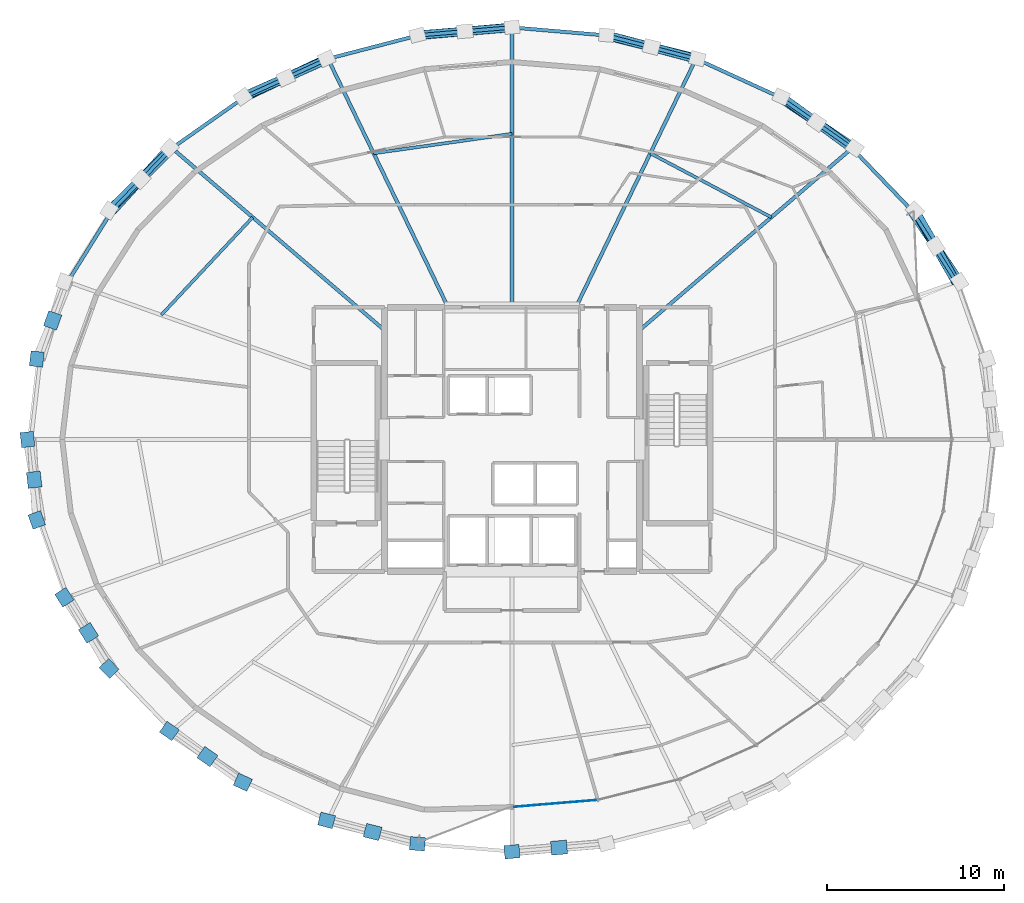
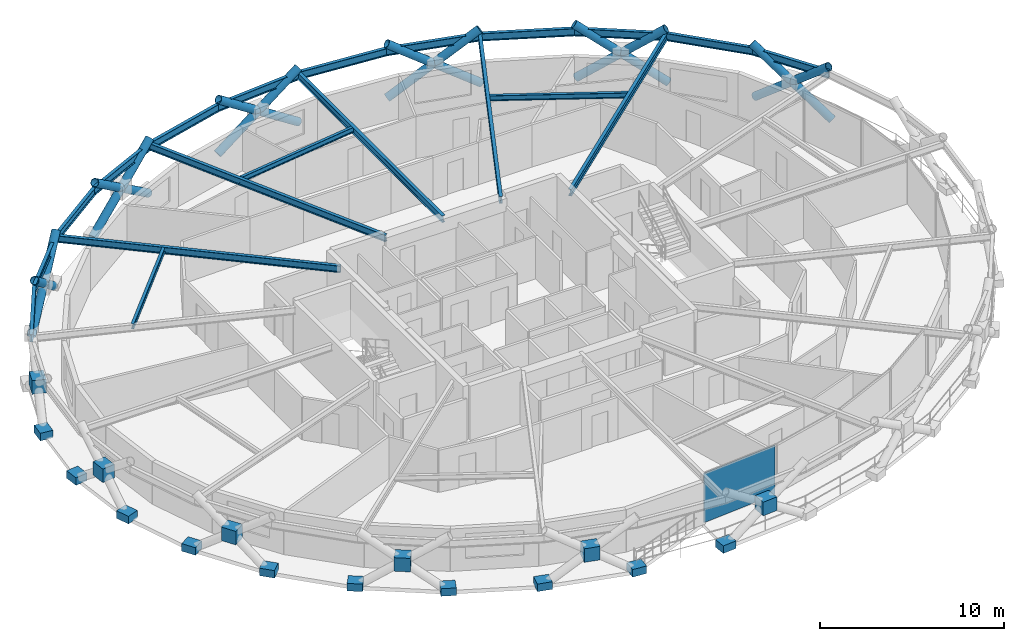
# One storey, part 10 of 16: 20 beams, 18 members, 17 plates, 1 element without a shape of its own.
"""IFC4 building model written with IfcOpenShell, lengths in metres."""

from ifc_helpers import new_model, si_unit, direction, frame, origin, origin_2d, place, context, subcontext, project, spatial, rectangle, hollow_circle, i_section, extrude, material, layer, layer_set, material_profile, profile_set, type_object, element, aggregate, save


model = new_model("IFC4")

# Units and contexts
model_context = context("Model", 3, precision=1e-05, world=origin(), true_north=direction((0.0, 1.0)))
body_context = subcontext(model_context, "Body", "Model", "MODEL_VIEW")
ifc_project = project(units=[si_unit("LENGTHUNIT", "METRE"), si_unit("AREAUNIT", "SQUARE_METRE"), si_unit("VOLUMEUNIT", "CUBIC_METRE"), si_unit("PLANEANGLEUNIT", "RADIAN"), si_unit("MASSUNIT", "GRAM", prefix="KILO")], contexts=[model_context])

# Site, building, storey
site_placement = place(None, origin())
site = spatial("IfcSite", under=ifc_project, at=site_placement, CompositionType="ELEMENT")
building_placement = place(site_placement, origin())
building = spatial("IfcBuilding", under=site, at=building_placement, Name="Veldorina Hangang Commons", CompositionType="ELEMENT")
storey_placement = place(building_placement, frame((0.0, 0.0, 185.60009765625)))
storey = spatial("IfcBuildingStorey", under=building, at=storey_placement, Name="L48", CompositionType="ELEMENT", Elevation=185.60009765625)

# Beams
ifc_material_1 = material(Name="Steel SM355-TMC", Category="steel")
ifc_material_profile_1 = material_profile(ifc_material_1, i_section(OverallWidth=0.199951171875, OverallDepth=0.449951171875, WebThickness=0.009033203125, FlangeThickness=0.013916015625, FilletRadius=0.01611328125, at=origin_2d()), Name="H-450x200x9x14")
ifc_profile_set_1 = profile_set([ifc_material_profile_1], Name="Steel SM355-TMC")
beam_type_1 = type_object("IfcBeamType", Name="BM-FG450", PredefinedType="BEAM", material=ifc_profile_set_1)
beam_1_placement = place(storey_placement, frame((39.199951171875, 30.16943359375, 3.125), z_axis=(0.759361379825, 0.650669113167, 0.0), x_axis=(-0.650669113167, 0.759361379825, 0.0)))
element("IfcBeam", 1, at=beam_1_placement, inside=storey, type_object=beam_type_1, Name="L48 radial floor girder 03", PredefinedType="BEAM", context=body_context, shape_type="SweptSolid", body=[
    extrude(i_section(OverallWidth=0.199951171875, OverallDepth=0.449951171875, WebThickness=0.009033203125, FlangeThickness=0.013916015625, FilletRadius=0.01611328125, at=origin_2d()), origin(), (0.0, 0.0, 1.0), 15.788330078125),
])
beam_2_placement = place(storey_placement, frame((35.601318359375, 31.449951171875, 3.125), z_axis=(0.435219448184, 0.900324403714, 0.0), x_axis=(-0.900324403714, 0.435219448184, 0.0)))
element("IfcBeam", 2, at=beam_2_placement, inside=storey, type_object=beam_type_1, Name="L48 radial floor girder 04", PredefinedType="BEAM", context=body_context, shape_type="SweptSolid", body=[
    extrude(i_section(OverallWidth=0.199951171875, OverallDepth=0.449951171875, WebThickness=0.009033203125, FlangeThickness=0.013916015625, FilletRadius=0.01611328125, at=origin_2d()), origin(), (0.0, 0.0, 1.0), 15.5869140625),
])
beam_3_placement = place(storey_placement, frame((32.0, 31.449951171875, 3.125), z_axis=(0.0, 1.0, 0.0), x_axis=(-1.0, 0.0, 0.0)))
element("IfcBeam", 3, at=beam_3_placement, inside=storey, type_object=beam_type_1, Name="L48 radial floor girder 05", PredefinedType="BEAM", context=body_context, shape_type="SweptSolid", body=[
    extrude(i_section(OverallWidth=0.199951171875, OverallDepth=0.449951171875, WebThickness=0.009033203125, FlangeThickness=0.013916015625, FilletRadius=0.01611328125, at=origin_2d()), origin(), (0.0, 0.0, 1.0), 15.80322265625),
])
beam_4_placement = place(storey_placement, frame((28.398681640625, 31.449951171875, 3.125), z_axis=(-0.435219448184, 0.900324403714, 0.0), x_axis=(-0.900324403714, -0.435219448184, 0.0)))
element("IfcBeam", 4, at=beam_4_placement, inside=storey, type_object=beam_type_1, Name="L48 radial floor girder 06", PredefinedType="BEAM", context=body_context, shape_type="SweptSolid", body=[
    extrude(i_section(OverallWidth=0.199951171875, OverallDepth=0.449951171875, WebThickness=0.009033203125, FlangeThickness=0.013916015625, FilletRadius=0.01611328125, at=origin_2d()), origin(), (0.0, 0.0, 1.0), 15.5869140625),
])
beam_5_placement = place(storey_placement, frame((24.800048828125, 30.16943359375, 3.125), z_axis=(-0.759361379825, 0.650669113167, 0.0), x_axis=(-0.650669113167, -0.759361379825, 0.0)))
element("IfcBeam", 5, at=beam_5_placement, inside=storey, type_object=beam_type_1, Name="L48 radial floor girder 07", PredefinedType="BEAM", context=body_context, shape_type="SweptSolid", body=[
    extrude(i_section(OverallWidth=0.199951171875, OverallDepth=0.449951171875, WebThickness=0.009033203125, FlangeThickness=0.013916015625, FilletRadius=0.01611328125, at=origin_2d()), origin(), (0.0, 0.0, 1.0), 15.788330078125),
])
ifc_material_profile_2 = material_profile(ifc_material_1, i_section(OverallWidth=0.175048828125, OverallDepth=0.35009765625, WebThickness=0.007080078125, FlangeThickness=0.010986328125, FilletRadius=0.012939453125, at=origin_2d()), Name="H-350x175x7x11")
ifc_profile_set_2 = profile_set([ifc_material_profile_2], Name="Steel SM355-TMC")
beam_type_2 = type_object("IfcBeamType", Name="BM-JST350", PredefinedType="JOIST", material=ifc_profile_set_2)
beam_6_placement = place(storey_placement, frame((46.63330078125, 36.538818359375, 3.1748046875), z_axis=(-0.883897084995, 0.467681454772, 0.0), x_axis=(-0.467681454772, -0.883897084995, 0.0)))
element("IfcBeam", 6, at=beam_6_placement, inside=storey, type_object=beam_type_2, Name="L48 secondary floor joist 03", PredefinedType="JOIST", context=body_context, shape_type="SweptSolid", body=[
    extrude(i_section(OverallWidth=0.175048828125, OverallDepth=0.35009765625, WebThickness=0.007080078125, FlangeThickness=0.010986328125, FilletRadius=0.012939453125, at=origin_2d()), origin(), (0.0, 0.0, 1.0), 7.722900390625),
])
beam_7_placement = place(storey_placement, frame((32.0, 41.248046875, 3.1748046875), z_axis=(-0.990264717399, -0.139196944922, 0.0), x_axis=(0.139196944922, -0.990264717399, 0.0)))
element("IfcBeam", 7, at=beam_7_placement, inside=storey, type_object=beam_type_2, Name="L48 secondary floor joist 05", PredefinedType="JOIST", context=body_context, shape_type="SweptSolid", body=[
    extrude(i_section(OverallWidth=0.175048828125, OverallDepth=0.35009765625, WebThickness=0.007080078125, FlangeThickness=0.010986328125, FilletRadius=0.012939453125, at=origin_2d()), origin(), (0.0, 0.0, 1.0), 7.8837890625),
])
beam_8_placement = place(storey_placement, frame((17.36669921875, 36.538818359375, 3.1748046875), z_axis=(-0.683245001655, -0.730189199943, 0.0), x_axis=(0.730189199943, -0.683245001655, 0.0)))
element("IfcBeam", 8, at=beam_8_placement, inside=storey, type_object=beam_type_2, Name="L48 secondary floor joist 07", PredefinedType="JOIST", context=body_context, shape_type="SweptSolid", body=[
    extrude(i_section(OverallWidth=0.175048828125, OverallDepth=0.35009765625, WebThickness=0.007080078125, FlangeThickness=0.010986328125, FilletRadius=0.012939453125, at=origin_2d()), origin(), (0.0, 0.0, 1.0), 7.55126953125),
])
ifc_material_2 = material(Name="Steel SM420-TMC", Category="steel")
ifc_material_profile_3 = material_profile(ifc_material_2, i_section(OverallWidth=0.199951171875, OverallDepth=0.5, WebThickness=0.010009765625, FlangeThickness=0.01611328125, FilletRadius=0.01611328125, at=origin_2d()), Name="H-500x200x10x16")
ifc_profile_set_3 = profile_set([ifc_material_profile_3], Name="Steel SM420-TMC")
beam_type_3 = type_object("IfcBeamType", Name="BM-RB500", PredefinedType="BEAM", material=ifc_profile_set_3)
beam_9_placement = place(storey_placement, frame((57.071533203125, 32.898681640625, 3.099853515625), z_axis=(-0.529285479706, 0.848443799537, 0.0), x_axis=(-0.848443799537, -0.529285479706, 0.0)))
element("IfcBeam", 9, at=beam_9_placement, inside=storey, type_object=beam_type_3, Name="L48 perimeter hoop ring beam 02", PredefinedType="BEAM", context=body_context, shape_type="SweptSolid", body=[
    extrude(i_section(OverallWidth=0.199951171875, OverallDepth=0.5, WebThickness=0.010009765625, FlangeThickness=0.01611328125, FilletRadius=0.01611328125, at=origin_2d()), origin(), (0.0, 0.0, 1.0), 4.738037109375),
])
beam_10_placement = place(storey_placement, frame((54.563720703125, 36.918701171875, 3.099853515625), z_axis=(-0.691680360766, 0.722203765242, 0.0), x_axis=(-0.722203765242, -0.691680360766, 0.0)))
element("IfcBeam", 10, at=beam_10_placement, inside=storey, type_object=beam_type_3, Name="L48 perimeter hoop ring beam 03", PredefinedType="BEAM", context=body_context, shape_type="SweptSolid", body=[
    extrude(i_section(OverallWidth=0.199951171875, OverallDepth=0.5, WebThickness=0.010009765625, FlangeThickness=0.01611328125, FilletRadius=0.01611328125, at=origin_2d()), origin(), (0.0, 0.0, 1.0), 4.879150390625),
])
beam_11_placement = place(storey_placement, frame((51.18896484375, 40.4423828125, 3.099853515625), z_axis=(-0.817993454631, 0.575227527315, 0.0), x_axis=(-0.575227527315, -0.817993454631, 0.0)))
element("IfcBeam", 11, at=beam_11_placement, inside=storey, type_object=beam_type_3, Name="L48 perimeter hoop ring beam 04", PredefinedType="BEAM", context=body_context, shape_type="SweptSolid", body=[
    extrude(i_section(OverallWidth=0.199951171875, OverallDepth=0.5, WebThickness=0.010009765625, FlangeThickness=0.01611328125, FilletRadius=0.01611328125, at=origin_2d()), origin(), (0.0, 0.0, 1.0), 5.02734375),
])
beam_12_placement = place(storey_placement, frame((47.07666015625, 43.334228515625, 3.099853515625), z_axis=(-0.90916857944, 0.416428258117, 0.0), x_axis=(-0.416428258117, -0.90916857944, 0.0)))
element("IfcBeam", 12, at=beam_12_placement, inside=storey, type_object=beam_type_3, Name="L48 perimeter hoop ring beam 05", PredefinedType="BEAM", context=body_context, shape_type="SweptSolid", body=[
    extrude(i_section(OverallWidth=0.199951171875, OverallDepth=0.5, WebThickness=0.010009765625, FlangeThickness=0.01611328125, FilletRadius=0.01611328125, at=origin_2d()), origin(), (0.0, 0.0, 1.0), 5.160400390625),
])
beam_13_placement = place(storey_placement, frame((42.385009765625, 45.483154296875, 3.099853515625), z_axis=(-0.967839686151, 0.251567768029, 0.0), x_axis=(-0.251567768029, -0.967839686151, 0.0)))
element("IfcBeam", 13, at=beam_13_placement, inside=storey, type_object=beam_type_3, Name="L48 perimeter hoop ring beam 06", PredefinedType="BEAM", context=body_context, shape_type="SweptSolid", body=[
    extrude(i_section(OverallWidth=0.199951171875, OverallDepth=0.5, WebThickness=0.010009765625, FlangeThickness=0.01611328125, FilletRadius=0.01611328125, at=origin_2d()), origin(), (0.0, 0.0, 1.0), 5.260009765625),
])
for number, where, z_axis, x_axis, name in (
    (14, (37.294189453125, 46.806396484375, 3.099853515625), (-0.996458060131, 0.084091226656, 0.0), (-0.084091226656, -0.996458060131, 0.0), "L48 perimeter hoop ring beam 07"),
    (15, (32.0, 47.253173828125, 3.099853515625), (-0.996458060131, -0.084091226656, 0.0), (0.084091226656, -0.996458060131, 0.0), "L48 perimeter hoop ring beam 08"),
):
    element("IfcBeam", number, at=place(storey_placement, frame(where, z_axis=z_axis, x_axis=x_axis)), inside=storey, type_object=beam_type_3, Name=name, PredefinedType="BEAM", context=body_context, shape_type="SweptSolid", body=[
        extrude(i_section(OverallWidth=0.199951171875, OverallDepth=0.5, WebThickness=0.010009765625, FlangeThickness=0.01611328125, FilletRadius=0.01611328125, at=origin_2d()), origin(), (0.0, 0.0, 1.0), 5.31298828125),
    ])
beam_14_placement = place(storey_placement, frame((26.705810546875, 46.806396484375, 3.099853515625), z_axis=(-0.967839686151, -0.251567768029, 0.0), x_axis=(0.251567768029, -0.967839686151, 0.0)))
element("IfcBeam", 16, at=beam_14_placement, inside=storey, type_object=beam_type_3, Name="L48 perimeter hoop ring beam 09", PredefinedType="BEAM", context=body_context, shape_type="SweptSolid", body=[
    extrude(i_section(OverallWidth=0.199951171875, OverallDepth=0.5, WebThickness=0.010009765625, FlangeThickness=0.01611328125, FilletRadius=0.01611328125, at=origin_2d()), origin(), (0.0, 0.0, 1.0), 5.260009765625),
])
beam_15_placement = place(storey_placement, frame((21.614990234375, 45.483154296875, 3.099853515625), z_axis=(-0.90916857944, -0.416428258117, 0.0), x_axis=(0.416428258117, -0.90916857944, 0.0)))
element("IfcBeam", 17, at=beam_15_placement, inside=storey, type_object=beam_type_3, Name="L48 perimeter hoop ring beam 10", PredefinedType="BEAM", context=body_context, shape_type="SweptSolid", body=[
    extrude(i_section(OverallWidth=0.199951171875, OverallDepth=0.5, WebThickness=0.010009765625, FlangeThickness=0.01611328125, FilletRadius=0.01611328125, at=origin_2d()), origin(), (0.0, 0.0, 1.0), 5.160400390625),
])
beam_16_placement = place(storey_placement, frame((16.92333984375, 43.334228515625, 3.099853515625), z_axis=(-0.817993454631, -0.575227527315, 0.0), x_axis=(0.575227527315, -0.817993454631, 0.0)))
element("IfcBeam", 18, at=beam_16_placement, inside=storey, type_object=beam_type_3, Name="L48 perimeter hoop ring beam 11", PredefinedType="BEAM", context=body_context, shape_type="SweptSolid", body=[
    extrude(i_section(OverallWidth=0.199951171875, OverallDepth=0.5, WebThickness=0.010009765625, FlangeThickness=0.01611328125, FilletRadius=0.01611328125, at=origin_2d()), origin(), (0.0, 0.0, 1.0), 5.02734375),
])
beam_17_placement = place(storey_placement, frame((12.81103515625, 40.4423828125, 3.099853515625), z_axis=(-0.691680360766, -0.722203765242, 0.0), x_axis=(0.722203765242, -0.691680360766, 0.0)))
element("IfcBeam", 19, at=beam_17_placement, inside=storey, type_object=beam_type_3, Name="L48 perimeter hoop ring beam 12", PredefinedType="BEAM", context=body_context, shape_type="SweptSolid", body=[
    extrude(i_section(OverallWidth=0.199951171875, OverallDepth=0.5, WebThickness=0.010009765625, FlangeThickness=0.01611328125, FilletRadius=0.01611328125, at=origin_2d()), origin(), (0.0, 0.0, 1.0), 4.879150390625),
])
beam_18_placement = place(storey_placement, frame((9.436279296875, 36.918701171875, 3.099853515625), z_axis=(-0.529285479706, -0.848443799537, 0.0), x_axis=(0.848443799537, -0.529285479706, 0.0)))
element("IfcBeam", 20, at=beam_18_placement, inside=storey, type_object=beam_type_3, Name="L48 perimeter hoop ring beam 13", PredefinedType="BEAM", context=body_context, shape_type="SweptSolid", body=[
    extrude(i_section(OverallWidth=0.199951171875, OverallDepth=0.5, WebThickness=0.010009765625, FlangeThickness=0.01611328125, FilletRadius=0.01611328125, at=origin_2d()), origin(), (0.0, 0.0, 1.0), 4.738037109375),
])

# Members
ifc_material_profile_4 = material_profile(ifc_material_2, hollow_circle(Radius=0.25, WallThickness=0.02490234375, at=origin_2d()), Name="CHS-500x25")
ifc_profile_set_4 = profile_set([ifc_material_profile_4], Name="Steel SM420-TMC")
member_type = type_object("IfcMemberType", Name="DG-CHS500", PredefinedType="BRACE", material=ifc_profile_set_4)
member_1_placement = place(storey_placement, frame((57.261962890625, 32.902587890625, 0.0), z_axis=(-0.451118230375, 0.664495335132, 0.595766977777), x_axis=(-0.827353875026, -0.561681017553, 0.0)))
element("IfcMember", 21, at=member_1_placement, inside=storey, type_object=member_type, Name="L48 continuous perimeter diagrid brace 02", PredefinedType="BRACE", context=body_context, shape_type="SweptSolid", body=[
    extrude(hollow_circle(Radius=0.25, WallThickness=0.02490234375, at=origin_2d()), origin(), (0.0, 0.0, 1.0), 6.04248046875),
])
member_2_placement = place(storey_placement, frame((54.735107421875, 36.924560546875, 0.0), z_axis=(0.395231875787, -0.68409987912, 0.613024567004), x_axis=(0.86587923604, 0.500253084543, 0.0)))
element("IfcMember", 22, at=member_2_placement, inside=storey, type_object=member_type, Name="L48 split perimeter diagrid lower brace 03", PredefinedType="BRACE", context=body_context, shape_type="SweptSolid", body=[
    extrude(hollow_circle(Radius=0.25, WallThickness=0.02490234375, at=origin_2d()), origin(), (0.0, 0.0, 1.0), 2.9404296875),
])
member_3_placement = place(storey_placement, frame((55.897216796875, 34.9130859375, 1.802490234375), z_axis=(0.390041993243, -0.687173236335, 0.612911238902), x_axis=(0.869672467936, 0.493629211568, 0.0)))
element("IfcMember", 23, at=member_3_placement, inside=storey, type_object=member_type, Name="L48 split perimeter diagrid upper brace 03", PredefinedType="BRACE", context=body_context, shape_type="SweptSolid", body=[
    extrude(hollow_circle(Radius=0.25, WallThickness=0.02490234375, at=origin_2d()), origin(), (0.0, 0.0, 1.0), 2.9326171875),
])
member_4_placement = place(storey_placement, frame((51.334716796875, 40.44970703125, 0.0), z_axis=(-0.679926405463, 0.458407880831, 0.572330584493), x_axis=(-0.559018328911, -0.829155297843, 0.0)))
element("IfcMember", 24, at=member_4_placement, inside=storey, type_object=member_type, Name="L48 continuous perimeter diagrid brace 04", PredefinedType="BRACE", context=body_context, shape_type="SweptSolid", body=[
    extrude(hollow_circle(Radius=0.25, WallThickness=0.02490234375, at=origin_2d()), origin(), (0.0, 0.0, 1.0), 6.289794921875),
])
member_5_placement = place(storey_placement, frame((47.191162109375, 43.343017578125, 0.0), z_axis=(0.653697380734, -0.473325769267, 0.590459524921), x_axis=(0.586476242257, 0.809966429717, 0.0)))
element("IfcMember", 25, at=member_5_placement, inside=storey, type_object=member_type, Name="L48 split perimeter diagrid lower brace 05", PredefinedType="BRACE", context=body_context, shape_type="SweptSolid", body=[
    extrude(hollow_circle(Radius=0.25, WallThickness=0.02490234375, at=origin_2d()), origin(), (0.0, 0.0, 1.0), 3.0576171875),
])
member_6_placement = place(storey_placement, frame((49.18994140625, 41.895751953125, 1.805419921875), z_axis=(0.64998853757, -0.478495022035, 0.590387512499), x_axis=(0.592842529217, 0.805318406316, 0.0)))
element("IfcMember", 26, at=member_6_placement, inside=storey, type_object=member_type, Name="L48 split perimeter diagrid upper brace 05", PredefinedType="BRACE", context=body_context, shape_type="SweptSolid", body=[
    extrude(hollow_circle(Radius=0.25, WallThickness=0.02490234375, at=origin_2d()), origin(), (0.0, 0.0, 1.0), 3.039306640625),
])
member_7_placement = place(storey_placement, frame((42.4638671875, 45.492919921875, 0.0), z_axis=(-0.803770055235, 0.203690996452, 0.558984504501), x_axis=(-0.245654095453, -0.969357552912, 0.0)))
element("IfcMember", 27, at=member_7_placement, inside=storey, type_object=member_type, Name="L48 continuous perimeter diagrid brace 06", PredefinedType="BRACE", context=body_context, shape_type="SweptSolid", body=[
    extrude(hollow_circle(Radius=0.25, WallThickness=0.02490234375, at=origin_2d()), origin(), (0.0, 0.0, 1.0), 6.43994140625),
])
member_8_placement = place(storey_placement, frame((37.33447265625, 46.816650390625, 0.0), z_axis=(0.795760500503, -0.209131847889, 0.568356486756), x_axis=(0.254176370132, 0.967157884146, 0.0)))
element("IfcMember", 28, at=member_8_placement, inside=storey, type_object=member_type, Name="L48 split perimeter diagrid lower brace 07", PredefinedType="BRACE", context=body_context, shape_type="SweptSolid", body=[
    extrude(hollow_circle(Radius=0.25, WallThickness=0.02490234375, at=origin_2d()), origin(), (0.0, 0.0, 1.0), 3.179931640625),
])
member_9_placement = place(storey_placement, frame((39.864990234375, 46.151611328125, 1.807373046875), z_axis=(0.794936883053, -0.212395989007, 0.568298597408), x_axis=(0.258131023967, 0.966109918418, 0.0)))
element("IfcMember", 29, at=member_9_placement, inside=storey, type_object=member_type, Name="L48 split perimeter diagrid upper brace 07", PredefinedType="BRACE", context=body_context, shape_type="SweptSolid", body=[
    extrude(hollow_circle(Radius=0.25, WallThickness=0.02490234375, at=origin_2d()), origin(), (0.0, 0.0, 1.0), 3.154052734375),
])
member_10_placement = place(storey_placement, frame((32.0, 47.263671875, 0.0), z_axis=(-0.82449498228, -0.071569423155, 0.561325076818), x_axis=(0.086478758251, -0.996253694784, 0.0)))
element("IfcMember", 30, at=member_10_placement, inside=storey, type_object=member_type, Name="L48 continuous perimeter diagrid brace 08", PredefinedType="BRACE", context=body_context, shape_type="SweptSolid", body=[
    extrude(hollow_circle(Radius=0.25, WallThickness=0.02490234375, at=origin_2d()), origin(), (0.0, 0.0, 1.0), 6.4130859375),
])
member_11_placement = place(storey_placement, frame((26.66552734375, 46.816650390625, 0.0), z_axis=(0.827056330725, 0.066854913456, 0.55812923804), x_axis=(-0.080571965759, 0.996748793997, 0.0)))
element("IfcMember", 31, at=member_11_placement, inside=storey, type_object=member_type, Name="L48 split perimeter diagrid lower brace 09", PredefinedType="BRACE", context=body_context, shape_type="SweptSolid", body=[
    extrude(hollow_circle(Radius=0.25, WallThickness=0.02490234375, at=origin_2d()), origin(), (0.0, 0.0, 1.0), 3.2392578125),
])
member_12_placement = place(storey_placement, frame((29.344482421875, 47.033203125, 1.807861328125), z_axis=(0.827001323945, 0.067972711557, 0.558075730234), x_axis=(-0.081915556729, 0.996639273542, 0.0)))
element("IfcMember", 32, at=member_12_placement, inside=storey, type_object=member_type, Name="L48 split perimeter diagrid upper brace 09", PredefinedType="BRACE", context=body_context, shape_type="SweptSolid", body=[
    extrude(hollow_circle(Radius=0.25, WallThickness=0.02490234375, at=origin_2d()), origin(), (0.0, 0.0, 1.0), 3.2109375),
])
member_13_placement = place(storey_placement, frame((21.5361328125, 45.492919921875, 0.0), z_axis=(-0.738215381683, -0.347060871599, 0.578434785998), x_axis=(0.425461187327, -0.904976672671, 0.0)))
element("IfcMember", 33, at=member_13_placement, inside=storey, type_object=member_type, Name="L48 continuous perimeter diagrid brace 10", PredefinedType="BRACE", context=body_context, shape_type="SweptSolid", body=[
    extrude(hollow_circle(Radius=0.25, WallThickness=0.02490234375, at=origin_2d()), origin(), (0.0, 0.0, 1.0), 6.223388671875),
])
member_14_placement = place(storey_placement, frame((16.808837890625, 43.343017578125, 0.0), z_axis=(0.755891111577, 0.332717067562, 0.563851026773), x_axis=(-0.402865393474, 0.915259239091, 0.0)))
element("IfcMember", 34, at=member_14_placement, inside=storey, type_object=member_type, Name="L48 split perimeter diagrid lower brace 11", PredefinedType="BRACE", context=body_context, shape_type="SweptSolid", body=[
    extrude(hollow_circle(Radius=0.25, WallThickness=0.02490234375, at=origin_2d()), origin(), (0.0, 0.0, 1.0), 3.20361328125),
])
member_15_placement = place(storey_placement, frame((19.23046875, 44.408935546875, 1.806396484375), z_axis=(0.753784461436, 0.337318354573, 0.563937331063), x_axis=(-0.40846593724, 0.91277356344, 0.0)))
element("IfcMember", 35, at=member_15_placement, inside=storey, type_object=member_type, Name="L48 split perimeter diagrid upper brace 11", PredefinedType="BRACE", context=body_context, shape_type="SweptSolid", body=[
    extrude(hollow_circle(Radius=0.25, WallThickness=0.02490234375, at=origin_2d()), origin(), (0.0, 0.0, 1.0), 3.18017578125),
])
member_16_placement = place(storey_placement, frame((12.665283203125, 40.44970703125, 0.0), z_axis=(-0.535934830672, -0.591273483973, 0.602635482213), x_axis=(0.740928813345, -0.671583571535, 0.0)))
element("IfcMember", 36, at=member_16_placement, inside=storey, type_object=member_type, Name="L48 continuous perimeter diagrid brace 12", PredefinedType="BRACE", context=body_context, shape_type="SweptSolid", body=[
    extrude(hollow_circle(Radius=0.25, WallThickness=0.02490234375, at=origin_2d()), origin(), (0.0, 0.0, 1.0), 5.9736328125),
])
member_17_placement = place(storey_placement, frame((9.264892578125, 36.924560546875, 0.0), z_axis=(0.580888119576, 0.567623309995, 0.583414749973), x_axis=(-0.698893392106, 0.715225856965, 0.0)))
element("IfcMember", 37, at=member_17_placement, inside=storey, type_object=member_type, Name="L48 split perimeter diagrid lower brace 13", PredefinedType="BRACE", context=body_context, shape_type="SweptSolid", body=[
    extrude(hollow_circle(Radius=0.25, WallThickness=0.02490234375, at=origin_2d()), origin(), (0.0, 0.0, 1.0), 3.092041015625),
])
member_18_placement = place(storey_placement, frame((11.06103515625, 38.6796875, 1.803955078125), z_axis=(0.576168548491, 0.572361267334, 0.583465837376), x_axis=(-0.704758908634, 0.709446883636, 0.0)))
element("IfcMember", 38, at=member_18_placement, inside=storey, type_object=member_type, Name="L48 split perimeter diagrid upper brace 13", PredefinedType="BRACE", context=body_context, shape_type="SweptSolid", body=[
    extrude(hollow_circle(Radius=0.25, WallThickness=0.02490234375, at=origin_2d()), origin(), (0.0, 0.0, 1.0), 3.077880859375),
])

# Curtain wall, plate
ifc_material_3 = material(Name="Glass Low-E Triple IGU", Category="glass")
ifc_layer_1 = layer(ifc_material_3, 0.179931640625)
ifc_layer_set_1 = layer_set([ifc_layer_1], Name="Glass Low-E Triple IGU")
curtain_wall_type = type_object("IfcCurtainWallType", Name="CW-SYS-Z2", PredefinedType="NOTDEFINED", material=ifc_layer_set_1)
curtain_wall_placement = place(storey_placement, origin())
curtain_wall = element("IfcCurtainWall", 39, at=curtain_wall_placement, inside=storey, type_object=curtain_wall_type, Name="L48 unitised curtain wall CW-L48-R1", PredefinedType="NOTDEFINED")
ifc_layer_2 = layer(ifc_material_3, 0.0400390625)
ifc_layer_set_2 = layer_set([ifc_layer_2], Name="Glass Low-E Triple IGU")
plate_type_1 = type_object("IfcPlateType", Name="CW-PNL-VIS", PredefinedType="CURTAIN_PANEL", material=ifc_layer_set_2)
plate_1_placement = place(storey_placement, frame((34.42138671875, 3.455810546875, 0.0146484375), z_axis=(0.0, 0.0, 1.0), x_axis=(0.996630232539, 0.082025481337, 0.0)))
plate_1 = element("IfcPlate", 40, at=plate_1_placement, type_object=plate_type_1, Name="CW-L48-R1 facet 1 glazed vision panel", PredefinedType="CURTAIN_PANEL", context=body_context, shape_type="SweptSolid", body=[
    extrude(rectangle(XDim=4.67919921875, YDim=0.0400390625, at=origin_2d()), origin(), (0.0, 0.0, 1.0), 3.280029296875),
])
aggregate(curtain_wall, [plate_1])

# Plates
ifc_material_4 = material(Name="Steel SM460-TMC", Category="steel")
ifc_layer_3 = layer(ifc_material_4, 0.035888671875)
ifc_layer_set_3 = layer_set([ifc_layer_3], Name="Steel SM460-TMC")
plate_type_2 = type_object("IfcPlateType", Name="PL-STAR-36", PredefinedType="USERDEFINED", material=ifc_layer_set_3)
plate_2_placement = place(storey_placement, frame((6.076904296875, 30.7177734375, 1.351318359375), z_axis=(0.0, 0.0, 1.0), x_axis=(-0.335829708811, -0.941922717998, 0.0)))
element("IfcPlate", 41, at=plate_2_placement, inside=storey, type_object=plate_type_2, Name="L48 diagrid X-crossing star-node gusset plate 14", ObjectType="GUSSET PLATE", PredefinedType="USERDEFINED", context=body_context, shape_type="SweptSolid", body=[
    extrude(rectangle(XDim=0.89990234375, YDim=0.780029296875, at=origin_2d()), origin(), (0.0, 0.0, 1.0), 0.89990234375),
])
for number, where, z_axis, x_axis, name in (
    (42, (5.181884765625, 28.53857421875, -0.090087890625), (0.0, 0.0, 1.0), (-0.114989163212, -0.993366746144, 0.0), "L48 diagrid star-node gusset plate 15"),
    (43, (4.656494140625, 24.0, -0.090087890625), (0.0, 0.0, 1.0), (0.114989163212, -0.993366746144, 0.0), "L48 diagrid star-node gusset plate 16"),
):
    element("IfcPlate", number, at=place(storey_placement, frame(where, z_axis=z_axis, x_axis=x_axis)), inside=storey, type_object=plate_type_2, Name=name, ObjectType="GUSSET PLATE", PredefinedType="USERDEFINED", context=body_context, shape_type="SweptSolid", body=[
        extrude(rectangle(XDim=0.85009765625, YDim=0.75, at=origin_2d()), origin(), (0.0, 0.0, 1.0), 0.5),
    ])
plate_3_placement = place(storey_placement, frame((5.036865234375, 21.731201171875, 1.3505859375), z_axis=(0.0, 0.0, 1.0), x_axis=(0.114989163212, -0.993366746144, 0.0)))
element("IfcPlate", 44, at=plate_3_placement, inside=storey, type_object=plate_type_2, Name="L48 diagrid X-crossing star-node gusset plate 16", ObjectType="GUSSET PLATE", PredefinedType="USERDEFINED", context=body_context, shape_type="SweptSolid", body=[
    extrude(rectangle(XDim=0.89990234375, YDim=0.780029296875, at=origin_2d()), origin(), (0.0, 0.0, 1.0), 0.89990234375),
])
for number, where, z_axis, x_axis, name in (
    (45, (5.181884765625, 19.46142578125, -0.090087890625), (0.0, 0.0, 1.0), (0.335829708811, -0.941922717998, 0.0), "L48 diagrid star-node gusset plate 17"),
    (46, (6.738037109375, 15.097412109375, -0.090087890625), (0.0, 0.0, 1.0), (0.53197507397, -0.846760013625, 0.0), "L48 diagrid star-node gusset plate 18"),
):
    element("IfcPlate", number, at=place(storey_placement, frame(where, z_axis=z_axis, x_axis=x_axis)), inside=storey, type_object=plate_type_2, Name=name, ObjectType="GUSSET PLATE", PredefinedType="USERDEFINED", context=body_context, shape_type="SweptSolid", body=[
        extrude(rectangle(XDim=0.85009765625, YDim=0.75, at=origin_2d()), origin(), (0.0, 0.0, 1.0), 0.5),
    ])
plate_4_placement = place(storey_placement, frame((8.102783203125, 13.0869140625, 1.3525390625), z_axis=(0.0, 0.0, 1.0), x_axis=(0.53197507397, -0.846760013625, 0.0)))
element("IfcPlate", 47, at=plate_4_placement, inside=storey, type_object=plate_type_2, Name="L48 diagrid X-crossing star-node gusset plate 18", ObjectType="GUSSET PLATE", PredefinedType="USERDEFINED", context=body_context, shape_type="SweptSolid", body=[
    extrude(rectangle(XDim=0.89990234375, YDim=0.780029296875, at=origin_2d()), origin(), (0.0, 0.0, 1.0), 0.89990234375),
])
for number, where, z_axis, x_axis, name in (
    (48, (9.264892578125, 11.075439453125, -0.090087890625), (0.0, 0.0, 1.0), (0.694256507003, -0.719727658551, 0.0), "L48 diagrid star-node gusset plate 19"),
    (49, (12.665283203125, 7.55029296875, -0.090087890625), (0.0, 0.0, 1.0), (0.819902152077, -0.572503677735, 0.0), "L48 diagrid star-node gusset plate 20"),
):
    element("IfcPlate", number, at=place(storey_placement, frame(where, z_axis=z_axis, x_axis=x_axis)), inside=storey, type_object=plate_type_2, Name=name, ObjectType="GUSSET PLATE", PredefinedType="USERDEFINED", context=body_context, shape_type="SweptSolid", body=[
        extrude(rectangle(XDim=0.85009765625, YDim=0.75, at=origin_2d()), origin(), (0.0, 0.0, 1.0), 0.5),
    ])
plate_5_placement = place(storey_placement, frame((14.81005859375, 6.104248046875, 1.35546875), z_axis=(0.0, 0.0, 1.0), x_axis=(0.819902152077, -0.572503677735, 0.0)))
element("IfcPlate", 50, at=plate_5_placement, inside=storey, type_object=plate_type_2, Name="L48 diagrid X-crossing star-node gusset plate 20", ObjectType="GUSSET PLATE", PredefinedType="USERDEFINED", context=body_context, shape_type="SweptSolid", body=[
    extrude(rectangle(XDim=0.89990234375, YDim=0.780029296875, at=origin_2d()), origin(), (0.0, 0.0, 1.0), 0.89990234375),
])
for number, where, z_axis, x_axis, name in (
    (51, (16.808837890625, 4.656982421875, -0.090087890625), (0.0, 0.0, 1.0), (0.910293914647, -0.413962545354, 0.0), "L48 diagrid star-node gusset plate 21"),
    (52, (21.5361328125, 2.507080078125, -0.090087890625), (0.0, 0.0, 1.0), (0.968274245069, -0.249889948449, 0.0), "L48 diagrid star-node gusset plate 22"),
):
    element("IfcPlate", number, at=place(storey_placement, frame(where, z_axis=z_axis, x_axis=x_axis)), inside=storey, type_object=plate_type_2, Name=name, ObjectType="GUSSET PLATE", PredefinedType="USERDEFINED", context=body_context, shape_type="SweptSolid", body=[
        extrude(rectangle(XDim=0.85009765625, YDim=0.75, at=origin_2d()), origin(), (0.0, 0.0, 1.0), 0.5),
    ])
plate_6_placement = place(storey_placement, frame((24.135009765625, 1.848388671875, 1.357421875), z_axis=(0.0, 0.0, 1.0), x_axis=(0.968274245069, -0.249889948449, 0.0)))
element("IfcPlate", 53, at=plate_6_placement, inside=storey, type_object=plate_type_2, Name="L48 diagrid X-crossing star-node gusset plate 22", ObjectType="GUSSET PLATE", PredefinedType="USERDEFINED", context=body_context, shape_type="SweptSolid", body=[
    extrude(rectangle(XDim=0.89990234375, YDim=0.780029296875, at=origin_2d()), origin(), (0.0, 0.0, 1.0), 0.89990234375),
])
for number, where, z_axis, x_axis, name in (
    (54, (26.66552734375, 1.183349609375, -0.090087890625), (0.0, 0.0, 1.0), (0.996507448611, -0.083503921245, 0.0), "L48 diagrid star-node gusset plate 23"),
    (55, (32.0, 0.736328125, -0.090087890625), (0.0, 0.0, 1.0), (0.996507448611, 0.083503921245, 0.0), "L48 diagrid star-node gusset plate 24"),
):
    element("IfcPlate", number, at=place(storey_placement, frame(where, z_axis=z_axis, x_axis=x_axis)), inside=storey, type_object=plate_type_2, Name=name, ObjectType="GUSSET PLATE", PredefinedType="USERDEFINED", context=body_context, shape_type="SweptSolid", body=[
        extrude(rectangle(XDim=0.85009765625, YDim=0.75, at=origin_2d()), origin(), (0.0, 0.0, 1.0), 0.5),
    ])
plate_7_placement = place(storey_placement, frame((34.655517578125, 0.966796875, 1.35791015625), z_axis=(0.0, 0.0, 1.0), x_axis=(0.996507448611, 0.083503921245, 0.0)))
element("IfcPlate", 56, at=plate_7_placement, inside=storey, type_object=plate_type_2, Name="L48 diagrid X-crossing star-node gusset plate 24", ObjectType="GUSSET PLATE", PredefinedType="USERDEFINED", context=body_context, shape_type="SweptSolid", body=[
    extrude(rectangle(XDim=0.89990234375, YDim=0.780029296875, at=origin_2d()), origin(), (0.0, 0.0, 1.0), 0.89990234375),
])

save(model, "model.ifc")
